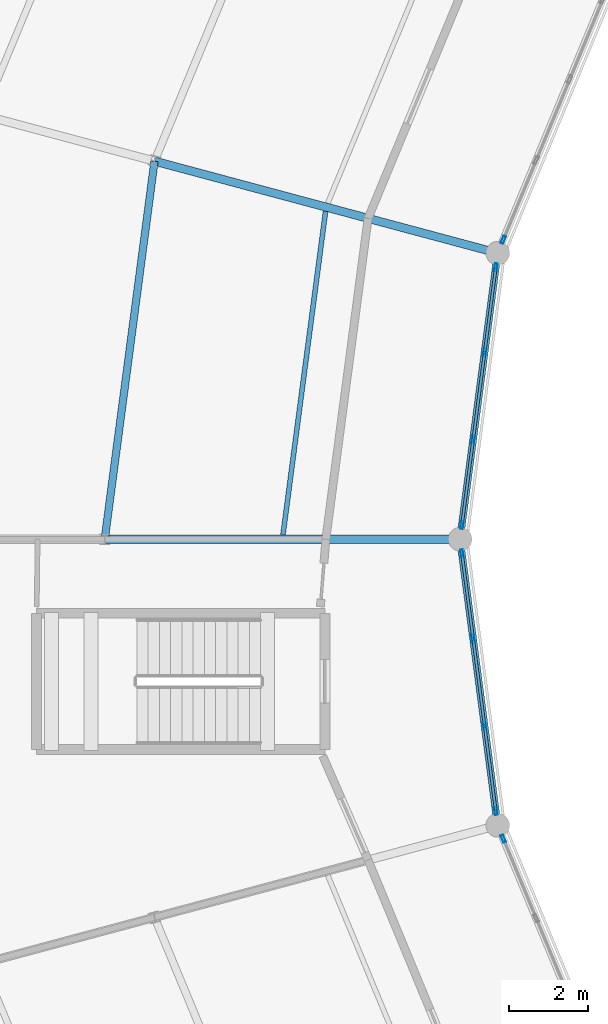
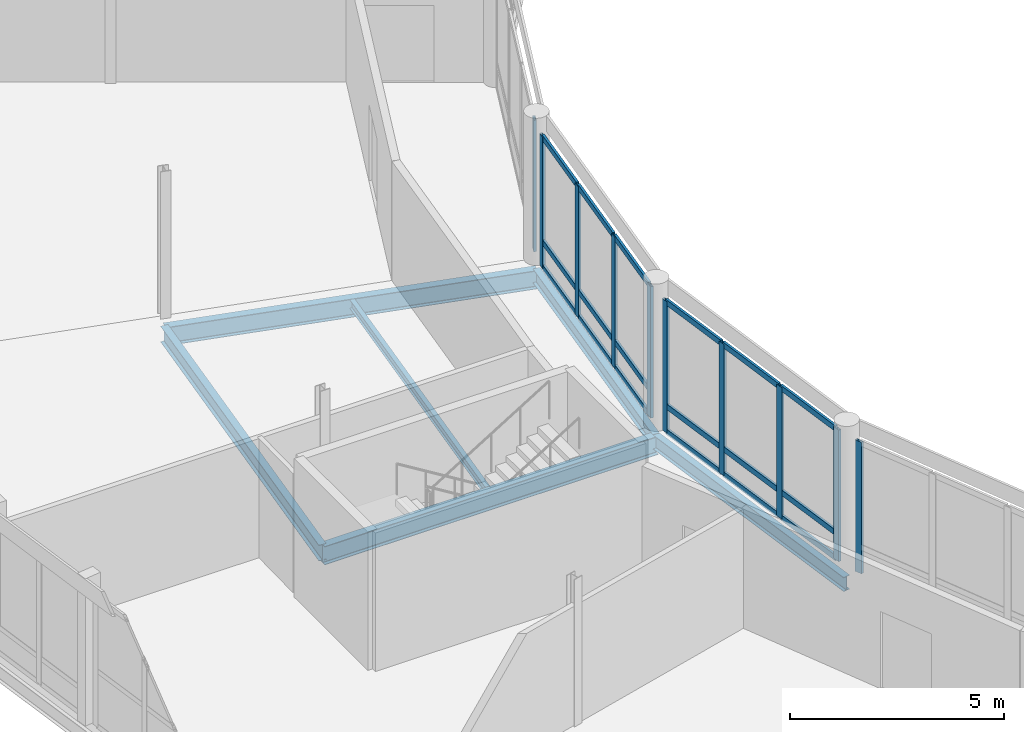
# One storey, part 74 of 185: 28 members, 6 beams, 4 elements without a shape of their own.
"""IFC4 building model written with IfcOpenShell, lengths in metres."""

from ifc_helpers import new_model, si_unit, direction, frame, origin, origin_2d, place, context, subcontext, project, spatial, hollow_rectangle, i_section, extrude, material, material_profile, profile_set, type_object, element, aggregate, save


model = new_model("IFC4")

# Units and contexts
model_context = context("Model", 3, precision=1e-05, world=origin(), true_north=direction((0.0, 1.0)))
body_context = subcontext(model_context, "Body", "Model", "MODEL_VIEW")
ifc_project = project(units=[si_unit("LENGTHUNIT", "METRE"), si_unit("AREAUNIT", "SQUARE_METRE"), si_unit("VOLUMEUNIT", "CUBIC_METRE"), si_unit("PLANEANGLEUNIT", "RADIAN"), si_unit("MASSUNIT", "GRAM", prefix="KILO")], contexts=[model_context])

# Site, building, storey
site_placement = place(None, origin())
site = spatial("IfcSite", under=ifc_project, at=site_placement, CompositionType="ELEMENT")
building_placement = place(site_placement, origin())
building = spatial("IfcBuilding", under=site, at=building_placement, Name="Vondelvale Polytechnic", CompositionType="ELEMENT")
storey_placement = place(building_placement, frame((0.0, 0.0, 9.60009765625)))
storey = spatial("IfcBuildingStorey", under=building, at=storey_placement, Name="L02", CompositionType="ELEMENT", Elevation=9.60009765625)

# Beams
ifc_material_1 = material(Name="Steel 300PLUS (fy = 300 MPa)", Category="steel")
ifc_material_profile_1 = material_profile(ifc_material_1, i_section(OverallWidth=0.177978515625, OverallDepth=0.403076171875, WebThickness=0.007568359375, FlangeThickness=0.010986328125, FilletRadius=0.011474609375, at=origin_2d()), Name="410UB53.7")
ifc_profile_set_1 = profile_set([ifc_material_profile_1], Name="Steel 300PLUS (fy = 300 MPa)")
beam_type_1 = type_object("IfcBeamType", Name="BM-UB410L", PredefinedType="BEAM", material=ifc_profile_set_1)
for number, where, z_axis, x_axis, name in (
    (1, (74.9541015625, 79.246826171875, -0.481689453125), (-0.13053140969, -0.991444174467, 0.0), (0.991444174467, -0.13053140969, 0.0), "L02 RB B-23"),
    (2, (74.0, 72.0, -0.481689453125), (0.13053140969, -0.991444174467, 0.0), (0.991444174467, 0.13053140969, 0.0), "L02 RB B-23"),
):
    element("IfcBeam", number, at=place(storey_placement, frame(where, z_axis=z_axis, x_axis=x_axis)), inside=storey, type_object=beam_type_1, Name=name, PredefinedType="BEAM", context=body_context, shape_type="SweptSolid", body=[
        extrude(i_section(OverallWidth=0.177978515625, OverallDepth=0.403076171875, WebThickness=0.007568359375, FlangeThickness=0.010986328125, FilletRadius=0.011474609375, at=origin_2d()), origin(), (0.0, 0.0, 1.0), 7.309326171875),
    ])
ifc_material_profile_2 = material_profile(ifc_material_1, i_section(OverallWidth=0.18994140625, OverallDepth=0.4541015625, WebThickness=0.008544921875, FlangeThickness=0.0126953125, FilletRadius=0.011474609375, at=origin_2d()), Name="460UB67.1")
ifc_profile_set_2 = profile_set([ifc_material_profile_2], Name="Steel 300PLUS (fy = 300 MPa)")
beam_type_2 = type_object("IfcBeamType", Name="BM-UB460L", PredefinedType="BEAM", material=ifc_profile_set_2)
beam_1_placement = place(storey_placement, frame((66.2607421875, 81.576416015625, -0.507080078125), z_axis=(-0.130524472487, -0.991445087779, 0.0), x_axis=(0.991445087779, -0.130524472487, 0.0)))
element("IfcBeam", 3, at=beam_1_placement, inside=storey, type_object=beam_type_2, Name="L02 RB B-22", PredefinedType="BEAM", context=body_context, shape_type="SweptSolid", body=[
    extrude(i_section(OverallWidth=0.18994140625, OverallDepth=0.4541015625, WebThickness=0.008544921875, FlangeThickness=0.0126953125, FilletRadius=0.011474609375, at=origin_2d()), origin(), (0.0, 0.0, 1.0), 9.658935546875),
])
ifc_material_profile_3 = material_profile(ifc_material_1, i_section(OverallWidth=0.208984375, OverallDepth=0.528076171875, WebThickness=0.009521484375, FlangeThickness=0.01318359375, FilletRadius=0.013916015625, at=origin_2d()), Name="530UB82.0")
ifc_profile_set_3 = profile_set([ifc_material_profile_3], Name="Steel 300PLUS (fy = 300 MPa)")
beam_type_3 = type_object("IfcBeamType", Name="BM-UB530L", PredefinedType="BEAM", material=ifc_profile_set_3)
for number, where, z_axis, x_axis, name in (
    (4, (74.9541015625, 79.246826171875, -0.544189453125), (-0.965919958881, 0.258840941576, 0.0), (-0.258840941576, -0.965919958881, 0.0), "L02 RG B-21"),
    (5, (74.0, 72.0, -0.544189453125), (-1.0, 0.0, 0.0), (0.0, -1.0, 0.0), "L02 RG B-21"),
):
    element("IfcBeam", number, at=place(storey_placement, frame(where, z_axis=z_axis, x_axis=x_axis)), inside=storey, type_object=beam_type_3, Name=name, PredefinedType="BEAM", context=body_context, shape_type="SweptSolid", body=[
        extrude(i_section(OverallWidth=0.208984375, OverallDepth=0.528076171875, WebThickness=0.009521484375, FlangeThickness=0.01318359375, FilletRadius=0.013916015625, at=origin_2d()), origin(), (0.0, 0.0, 1.0), 9.0),
    ])

# Curtain wall, member
ifc_material_2 = material(Name="Anodised extruded aluminium 6063-T6", Category="aluminium")
curtain_wall_type = type_object("IfcCurtainWallType", Name="CW-RING-CLOISTER", PredefinedType="NOTDEFINED", material=ifc_material_2)
curtain_wall_1_placement = place(storey_placement, origin())
curtain_wall_1 = element("IfcCurtainWall", 6, at=curtain_wall_1_placement, inside=storey, type_object=curtain_wall_type, Name="L02 architectural curtain wall CW-03-233", PredefinedType="NOTDEFINED")
ifc_material_profile_4 = material_profile(ifc_material_2, hollow_rectangle(XDim=0.070068359375, YDim=0.199951171875, WallThickness=0.00390625, at=origin_2d()), Name="CW-MUL-200x70")
ifc_profile_set_4 = profile_set([ifc_material_profile_4], Name="Anodised extruded aluminium 6063-T6")
member_type_1 = type_object("IfcMemberType", Name="CW-MUL-70x200", PredefinedType="MULLION", material=ifc_profile_set_4)
member_1_placement = place(storey_placement, frame((75.09375, 79.584228515625, 0.0), z_axis=(0.0, 0.0, 1.0), x_axis=(0.923881562419, -0.382678531697, 0.0)))
member_1 = element("IfcMember", 7, at=member_1_placement, type_object=member_type_1, Name="CW-03-233 mullion 4", PredefinedType="MULLION", context=body_context, shape_type="SweptSolid", body=[
    extrude(hollow_rectangle(XDim=0.070068359375, YDim=0.199951171875, WallThickness=0.00390625, at=origin_2d()), origin(), (0.0, 0.0, 1.0), 3.75),
])
aggregate(curtain_wall_1, [member_1])

# Curtain wall, members
curtain_wall_2_placement = place(storey_placement, origin())
curtain_wall_2 = element("IfcCurtainWall", 8, at=curtain_wall_2_placement, inside=storey, type_object=curtain_wall_type, Name="L02 architectural curtain wall CW-03-248", PredefinedType="NOTDEFINED")
member_2_placement = place(storey_placement, frame((74.90673828125, 78.886474609375, 0.0), z_axis=(0.0, 0.0, 1.0), x_axis=(0.99144462243, -0.130528007165, 0.0)))
member_2 = element("IfcMember", 9, at=member_2_placement, type_object=member_type_1, Name="CW-03-248 mullion 1", PredefinedType="MULLION", context=body_context, shape_type="SweptSolid", body=[
    extrude(hollow_rectangle(XDim=0.070068359375, YDim=0.199951171875, WallThickness=0.00390625, at=origin_2d()), origin(), (0.0, 0.0, 1.0), 3.75),
])
member_3_placement = place(storey_placement, frame((74.621826171875, 76.72265625, 0.0), z_axis=(0.0, 0.0, 1.0), x_axis=(0.99144462243, -0.130528007165, 0.0)))
member_3 = element("IfcMember", 10, at=member_3_placement, type_object=member_type_1, Name="CW-03-248 mullion 2", PredefinedType="MULLION", context=body_context, shape_type="SweptSolid", body=[
    extrude(hollow_rectangle(XDim=0.070068359375, YDim=0.199951171875, WallThickness=0.00390625, at=origin_2d()), origin(), (0.0, 0.0, 1.0), 3.75),
])
member_4_placement = place(storey_placement, frame((74.332275390625, 74.524169921875, 0.0), z_axis=(0.0, 0.0, 1.0), x_axis=(0.99144462243, -0.130528007165, 0.0)))
member_4 = element("IfcMember", 11, at=member_4_placement, type_object=member_type_1, Name="CW-03-248 mullion 3", PredefinedType="MULLION", context=body_context, shape_type="SweptSolid", body=[
    extrude(hollow_rectangle(XDim=0.070068359375, YDim=0.199951171875, WallThickness=0.00390625, at=origin_2d()), origin(), (0.0, 0.0, 1.0), 3.75),
])
member_5_placement = place(storey_placement, frame((74.04736328125, 72.360595703125, 0.0), z_axis=(0.0, 0.0, 1.0), x_axis=(0.99144462243, -0.130528007165, 0.0)))
member_5 = element("IfcMember", 12, at=member_5_placement, type_object=member_type_1, Name="CW-03-248 mullion 4", PredefinedType="MULLION", context=body_context, shape_type="SweptSolid", body=[
    extrude(hollow_rectangle(XDim=0.070068359375, YDim=0.199951171875, WallThickness=0.00390625, at=origin_2d()), origin(), (0.0, 0.0, 1.0), 3.75),
])

curtain_wall_3_placement = place(storey_placement, origin())
curtain_wall_3 = element("IfcCurtainWall", 13, at=curtain_wall_3_placement, inside=storey, type_object=curtain_wall_type, Name="L02 architectural curtain wall CW-03-263", PredefinedType="NOTDEFINED")
member_6_placement = place(storey_placement, frame((74.04736328125, 71.639404296875, 0.0), z_axis=(0.0, 0.0, 1.0), x_axis=(0.99144462243, 0.130528007165, 0.0)))
member_6 = element("IfcMember", 14, at=member_6_placement, type_object=member_type_1, Name="CW-03-263 mullion 1", PredefinedType="MULLION", context=body_context, shape_type="SweptSolid", body=[
    extrude(hollow_rectangle(XDim=0.070068359375, YDim=0.199951171875, WallThickness=0.00390625, at=origin_2d()), origin(), (0.0, 0.0, 1.0), 3.75),
])
member_7_placement = place(storey_placement, frame((74.332275390625, 69.475830078125, 0.0), z_axis=(0.0, 0.0, 1.0), x_axis=(0.99144462243, 0.130528007165, 0.0)))
member_7 = element("IfcMember", 15, at=member_7_placement, type_object=member_type_1, Name="CW-03-263 mullion 2", PredefinedType="MULLION", context=body_context, shape_type="SweptSolid", body=[
    extrude(hollow_rectangle(XDim=0.070068359375, YDim=0.199951171875, WallThickness=0.00390625, at=origin_2d()), origin(), (0.0, 0.0, 1.0), 3.75),
])
member_8_placement = place(storey_placement, frame((74.621826171875, 67.27734375, 0.0), z_axis=(0.0, 0.0, 1.0), x_axis=(0.99144462243, 0.130528007165, 0.0)))
member_8 = element("IfcMember", 16, at=member_8_placement, type_object=member_type_1, Name="CW-03-263 mullion 3", PredefinedType="MULLION", context=body_context, shape_type="SweptSolid", body=[
    extrude(hollow_rectangle(XDim=0.070068359375, YDim=0.199951171875, WallThickness=0.00390625, at=origin_2d()), origin(), (0.0, 0.0, 1.0), 3.75),
])
member_9_placement = place(storey_placement, frame((74.90673828125, 65.113525390625, 0.0), z_axis=(0.0, 0.0, 1.0), x_axis=(0.99144462243, 0.130528007165, 0.0)))
member_9 = element("IfcMember", 17, at=member_9_placement, type_object=member_type_1, Name="CW-03-263 mullion 4", PredefinedType="MULLION", context=body_context, shape_type="SweptSolid", body=[
    extrude(hollow_rectangle(XDim=0.070068359375, YDim=0.199951171875, WallThickness=0.00390625, at=origin_2d()), origin(), (0.0, 0.0, 1.0), 3.75),
])

# Curtain wall, member
curtain_wall_4_placement = place(storey_placement, origin())
curtain_wall_4 = element("IfcCurtainWall", 18, at=curtain_wall_4_placement, inside=storey, type_object=curtain_wall_type, Name="L02 architectural curtain wall CW-03-283", PredefinedType="NOTDEFINED")
member_10_placement = place(storey_placement, frame((75.09375, 64.415771484375, 0.0), z_axis=(0.0, 0.0, 1.0), x_axis=(0.923881562419, 0.382678531697, 0.0)))
member_10 = element("IfcMember", 19, at=member_10_placement, type_object=member_type_1, Name="CW-03-283 mullion 1", PredefinedType="MULLION", context=body_context, shape_type="SweptSolid", body=[
    extrude(hollow_rectangle(XDim=0.070068359375, YDim=0.199951171875, WallThickness=0.00390625, at=origin_2d()), origin(), (0.0, 0.0, 1.0), 3.75),
])
aggregate(curtain_wall_4, [member_10])

# Member
ifc_material_profile_5 = material_profile(ifc_material_2, hollow_rectangle(XDim=0.06494140625, YDim=0.159912109375, WallThickness=0.00341796875, at=origin_2d()), Name="CW-TRN-160x65")
ifc_profile_set_5 = profile_set([ifc_material_profile_5], Name="Anodised extruded aluminium 6063-T6")
member_type_2 = type_object("IfcMemberType", Name="CW-TRN-70x160", PredefinedType="USERDEFINED", material=ifc_profile_set_5)
member_11_placement = place(storey_placement, frame((74.902099609375, 78.851806640625, 0.032470703125), z_axis=(-0.130589036243, -0.991436585775, 0.0), x_axis=(0.991436585775, -0.130589036243, 0.0)))
member_11 = element("IfcMember", 20, at=member_11_placement, type_object=member_type_2, Name="CW-03-248 transom 1.1", ObjectType="TRANSOM", PredefinedType="USERDEFINED", context=body_context, shape_type="SweptSolid", body=[
    extrude(hollow_rectangle(XDim=0.06494140625, YDim=0.159912109375, WallThickness=0.00341796875, at=origin_2d()), origin(), (0.0, 0.0, 1.0), 2.112548828125),
])

member_12_placement = place(storey_placement, frame((74.902099609375, 78.851806640625, 0.75), z_axis=(-0.130589036243, -0.991436585775, 0.0), x_axis=(0.991436585775, -0.130589036243, 0.0)))
member_12 = element("IfcMember", 21, at=member_12_placement, type_object=member_type_2, Name="CW-03-248 transom 1.2", ObjectType="TRANSOM", PredefinedType="USERDEFINED", context=body_context, shape_type="SweptSolid", body=[
    extrude(hollow_rectangle(XDim=0.06494140625, YDim=0.159912109375, WallThickness=0.00341796875, at=origin_2d()), origin(), (0.0, 0.0, 1.0), 2.112548828125),
])

member_13_placement = place(storey_placement, frame((74.902099609375, 78.851806640625, 3.71728515625), z_axis=(-0.130589036243, -0.991436585775, 0.0), x_axis=(0.991436585775, -0.130589036243, 0.0)))
member_13 = element("IfcMember", 22, at=member_13_placement, type_object=member_type_2, Name="CW-03-248 transom 1.3", ObjectType="TRANSOM", PredefinedType="USERDEFINED", context=body_context, shape_type="SweptSolid", body=[
    extrude(hollow_rectangle(XDim=0.06494140625, YDim=0.159912109375, WallThickness=0.00341796875, at=origin_2d()), origin(), (0.0, 0.0, 1.0), 2.112548828125),
])

member_14_placement = place(storey_placement, frame((74.6171875, 76.68798828125, 0.032470703125), z_axis=(-0.1305103875, -0.991446941977, 0.0), x_axis=(0.991446941977, -0.1305103875, 0.0)))
member_14 = element("IfcMember", 23, at=member_14_placement, type_object=member_type_2, Name="CW-03-248 transom 2.1", ObjectType="TRANSOM", PredefinedType="USERDEFINED", context=body_context, shape_type="SweptSolid", body=[
    extrude(hollow_rectangle(XDim=0.06494140625, YDim=0.159912109375, WallThickness=0.00341796875, at=origin_2d()), origin(), (0.0, 0.0, 1.0), 2.1474609375),
])

member_15_placement = place(storey_placement, frame((74.6171875, 76.68798828125, 0.75), z_axis=(-0.1305103875, -0.991446941977, 0.0), x_axis=(0.991446941977, -0.1305103875, 0.0)))
member_15 = element("IfcMember", 24, at=member_15_placement, type_object=member_type_2, Name="CW-03-248 transom 2.2", ObjectType="TRANSOM", PredefinedType="USERDEFINED", context=body_context, shape_type="SweptSolid", body=[
    extrude(hollow_rectangle(XDim=0.06494140625, YDim=0.159912109375, WallThickness=0.00341796875, at=origin_2d()), origin(), (0.0, 0.0, 1.0), 2.1474609375),
])

member_16_placement = place(storey_placement, frame((74.6171875, 76.68798828125, 3.71728515625), z_axis=(-0.1305103875, -0.991446941977, 0.0), x_axis=(0.991446941977, -0.1305103875, 0.0)))
member_16 = element("IfcMember", 25, at=member_16_placement, type_object=member_type_2, Name="CW-03-248 transom 2.3", ObjectType="TRANSOM", PredefinedType="USERDEFINED", context=body_context, shape_type="SweptSolid", body=[
    extrude(hollow_rectangle(XDim=0.06494140625, YDim=0.159912109375, WallThickness=0.00341796875, at=origin_2d()), origin(), (0.0, 0.0, 1.0), 2.1474609375),
])

member_17_placement = place(storey_placement, frame((74.327880859375, 74.489501953125, 0.032470703125), z_axis=(-0.130604000296, -0.99143461464, 0.0), x_axis=(0.99143461464, -0.130604000296, 0.0)))
member_17 = element("IfcMember", 26, at=member_17_placement, type_object=member_type_2, Name="CW-03-248 transom 3.1", ObjectType="TRANSOM", PredefinedType="USERDEFINED", context=body_context, shape_type="SweptSolid", body=[
    extrude(hollow_rectangle(XDim=0.06494140625, YDim=0.159912109375, WallThickness=0.00341796875, at=origin_2d()), origin(), (0.0, 0.0, 1.0), 2.1123046875),
])

member_18_placement = place(storey_placement, frame((74.327880859375, 74.489501953125, 0.75), z_axis=(-0.130604000296, -0.99143461464, 0.0), x_axis=(0.99143461464, -0.130604000296, 0.0)))
member_18 = element("IfcMember", 27, at=member_18_placement, type_object=member_type_2, Name="CW-03-248 transom 3.2", ObjectType="TRANSOM", PredefinedType="USERDEFINED", context=body_context, shape_type="SweptSolid", body=[
    extrude(hollow_rectangle(XDim=0.06494140625, YDim=0.159912109375, WallThickness=0.00341796875, at=origin_2d()), origin(), (0.0, 0.0, 1.0), 2.1123046875),
])

member_19_placement = place(storey_placement, frame((74.327880859375, 74.489501953125, 3.71728515625), z_axis=(-0.130604000296, -0.99143461464, 0.0), x_axis=(0.99143461464, -0.130604000296, 0.0)))
member_19 = element("IfcMember", 28, at=member_19_placement, type_object=member_type_2, Name="CW-03-248 transom 3.3", ObjectType="TRANSOM", PredefinedType="USERDEFINED", context=body_context, shape_type="SweptSolid", body=[
    extrude(hollow_rectangle(XDim=0.06494140625, YDim=0.159912109375, WallThickness=0.00341796875, at=origin_2d()), origin(), (0.0, 0.0, 1.0), 2.1123046875),
])

aggregate(curtain_wall_2, [member_2, member_3, member_4, member_5, member_11, member_12, member_13, member_14, member_15, member_16, member_17, member_18, member_19])

member_20_placement = place(storey_placement, frame((74.052001953125, 71.604736328125, 0.032470703125), z_axis=(0.130604000296, -0.99143461464, 0.0), x_axis=(0.99143461464, 0.130604000296, 0.0)))
member_20 = element("IfcMember", 29, at=member_20_placement, type_object=member_type_2, Name="CW-03-263 transom 1.1", ObjectType="TRANSOM", PredefinedType="USERDEFINED", context=body_context, shape_type="SweptSolid", body=[
    extrude(hollow_rectangle(XDim=0.06494140625, YDim=0.159912109375, WallThickness=0.00341796875, at=origin_2d()), origin(), (0.0, 0.0, 1.0), 2.1123046875),
])

member_21_placement = place(storey_placement, frame((74.052001953125, 71.604736328125, 0.75), z_axis=(0.130604000296, -0.99143461464, 0.0), x_axis=(0.99143461464, 0.130604000296, 0.0)))
member_21 = element("IfcMember", 30, at=member_21_placement, type_object=member_type_2, Name="CW-03-263 transom 1.2", ObjectType="TRANSOM", PredefinedType="USERDEFINED", context=body_context, shape_type="SweptSolid", body=[
    extrude(hollow_rectangle(XDim=0.06494140625, YDim=0.159912109375, WallThickness=0.00341796875, at=origin_2d()), origin(), (0.0, 0.0, 1.0), 2.1123046875),
])

member_22_placement = place(storey_placement, frame((74.052001953125, 71.604736328125, 3.71728515625), z_axis=(0.130604000296, -0.99143461464, 0.0), x_axis=(0.99143461464, 0.130604000296, 0.0)))
member_22 = element("IfcMember", 31, at=member_22_placement, type_object=member_type_2, Name="CW-03-263 transom 1.3", ObjectType="TRANSOM", PredefinedType="USERDEFINED", context=body_context, shape_type="SweptSolid", body=[
    extrude(hollow_rectangle(XDim=0.06494140625, YDim=0.159912109375, WallThickness=0.00341796875, at=origin_2d()), origin(), (0.0, 0.0, 1.0), 2.1123046875),
])

member_23_placement = place(storey_placement, frame((74.3369140625, 69.441162109375, 0.032470703125), z_axis=(0.1305103875, -0.991446941977, 0.0), x_axis=(0.991446941977, 0.1305103875, 0.0)))
member_23 = element("IfcMember", 32, at=member_23_placement, type_object=member_type_2, Name="CW-03-263 transom 2.1", ObjectType="TRANSOM", PredefinedType="USERDEFINED", context=body_context, shape_type="SweptSolid", body=[
    extrude(hollow_rectangle(XDim=0.06494140625, YDim=0.159912109375, WallThickness=0.00341796875, at=origin_2d()), origin(), (0.0, 0.0, 1.0), 2.1474609375),
])

member_24_placement = place(storey_placement, frame((74.3369140625, 69.441162109375, 0.75), z_axis=(0.1305103875, -0.991446941977, 0.0), x_axis=(0.991446941977, 0.1305103875, 0.0)))
member_24 = element("IfcMember", 33, at=member_24_placement, type_object=member_type_2, Name="CW-03-263 transom 2.2", ObjectType="TRANSOM", PredefinedType="USERDEFINED", context=body_context, shape_type="SweptSolid", body=[
    extrude(hollow_rectangle(XDim=0.06494140625, YDim=0.159912109375, WallThickness=0.00341796875, at=origin_2d()), origin(), (0.0, 0.0, 1.0), 2.1474609375),
])

member_25_placement = place(storey_placement, frame((74.3369140625, 69.441162109375, 3.71728515625), z_axis=(0.1305103875, -0.991446941977, 0.0), x_axis=(0.991446941977, 0.1305103875, 0.0)))
member_25 = element("IfcMember", 34, at=member_25_placement, type_object=member_type_2, Name="CW-03-263 transom 2.3", ObjectType="TRANSOM", PredefinedType="USERDEFINED", context=body_context, shape_type="SweptSolid", body=[
    extrude(hollow_rectangle(XDim=0.06494140625, YDim=0.159912109375, WallThickness=0.00341796875, at=origin_2d()), origin(), (0.0, 0.0, 1.0), 2.1474609375),
])

member_26_placement = place(storey_placement, frame((74.626220703125, 67.24267578125, 0.032470703125), z_axis=(0.130589036243, -0.991436585775, 0.0), x_axis=(0.991436585775, 0.130589036243, 0.0)))
member_26 = element("IfcMember", 35, at=member_26_placement, type_object=member_type_2, Name="CW-03-263 transom 3.1", ObjectType="TRANSOM", PredefinedType="USERDEFINED", context=body_context, shape_type="SweptSolid", body=[
    extrude(hollow_rectangle(XDim=0.06494140625, YDim=0.159912109375, WallThickness=0.00341796875, at=origin_2d()), origin(), (0.0, 0.0, 1.0), 2.112548828125),
])

member_27_placement = place(storey_placement, frame((74.626220703125, 67.24267578125, 0.75), z_axis=(0.130589036243, -0.991436585775, 0.0), x_axis=(0.991436585775, 0.130589036243, 0.0)))
member_27 = element("IfcMember", 36, at=member_27_placement, type_object=member_type_2, Name="CW-03-263 transom 3.2", ObjectType="TRANSOM", PredefinedType="USERDEFINED", context=body_context, shape_type="SweptSolid", body=[
    extrude(hollow_rectangle(XDim=0.06494140625, YDim=0.159912109375, WallThickness=0.00341796875, at=origin_2d()), origin(), (0.0, 0.0, 1.0), 2.112548828125),
])

member_28_placement = place(storey_placement, frame((74.626220703125, 67.24267578125, 3.71728515625), z_axis=(0.130589036243, -0.991436585775, 0.0), x_axis=(0.991436585775, 0.130589036243, 0.0)))
member_28 = element("IfcMember", 37, at=member_28_placement, type_object=member_type_2, Name="CW-03-263 transom 3.3", ObjectType="TRANSOM", PredefinedType="USERDEFINED", context=body_context, shape_type="SweptSolid", body=[
    extrude(hollow_rectangle(XDim=0.06494140625, YDim=0.159912109375, WallThickness=0.00341796875, at=origin_2d()), origin(), (0.0, 0.0, 1.0), 2.112548828125),
])

aggregate(curtain_wall_3, [member_6, member_7, member_8, member_9, member_20, member_21, member_22, member_23, member_24, member_25, member_26, member_27, member_28])

# Beam
ifc_material_profile_6 = material_profile(ifc_material_1, i_section(OverallWidth=0.1240234375, OverallDepth=0.248046875, WebThickness=0.0048828125, FlangeThickness=0.008056640625, FilletRadius=0.0087890625, at=origin_2d()), Name="250UB25.7")
ifc_profile_set_6 = profile_set([ifc_material_profile_6], Name="Steel 300PLUS (fy = 300 MPa)")
beam_type_4 = type_object("IfcBeamType", Name="JST-UB250L", PredefinedType="JOIST", material=ifc_profile_set_6)
beam_2_placement = place(storey_placement, frame((70.593017578125, 80.302490234375, -0.404052734375), z_axis=(-0.130518705366, -0.991445847008, 0.0), x_axis=(0.991445847008, -0.130518705366, 0.0)))
element("IfcBeam", 38, at=beam_2_placement, inside=storey, type_object=beam_type_4, Name="L02 RJ J-08", PredefinedType="JOIST", context=body_context, shape_type="SweptSolid", body=[
    extrude(i_section(OverallWidth=0.1240234375, OverallDepth=0.248046875, WebThickness=0.0048828125, FlangeThickness=0.008056640625, FilletRadius=0.0087890625, at=origin_2d()), origin(), (0.0, 0.0, 1.0), 8.26416015625),
])

save(model, "model.ifc")
